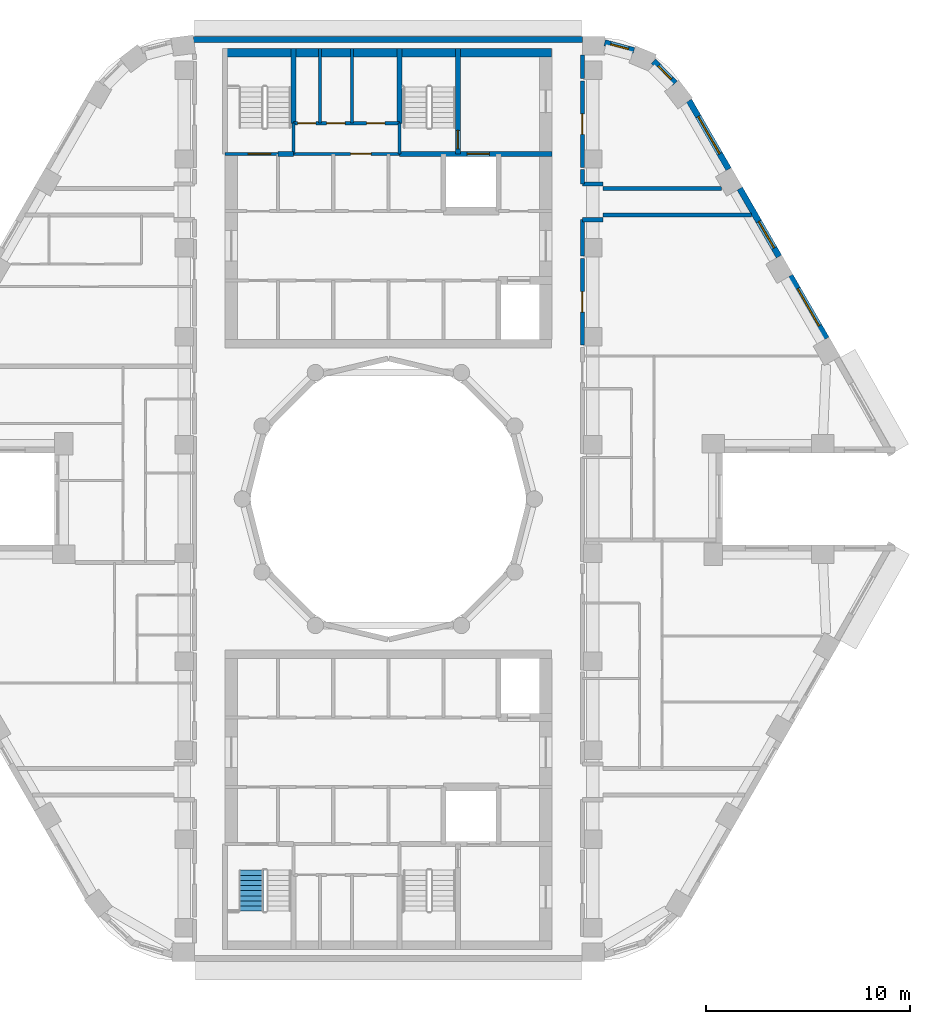
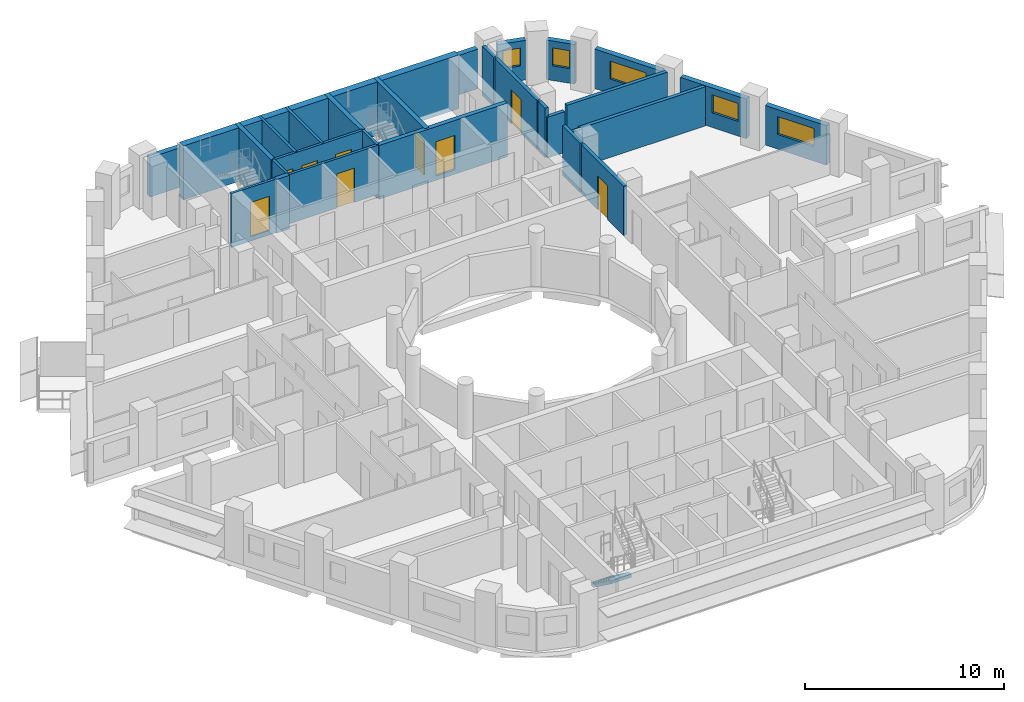
# One storey, part 8 of 13: 28 walls, 9 doors, 5 windows, 1 stair flight, 14 openings, 1 element without a shape of its own.
"""IFC4 building model written with IfcOpenShell, lengths in metres."""

from ifc_helpers import new_model, si_unit, direction, frame, frame_2d, origin, place, context, subcontext, project, spatial, polyline, rectangle, outline, extrude, material, layer, layer_set, type_object, element, fill, aggregate, save


model = new_model("IFC4")

# Units and contexts
model_context = context("Model", 3, precision=1e-05, world=origin(), true_north=direction((0.0, 1.0)))
body_context = subcontext(model_context, "Body", "Model", "MODEL_VIEW")
ifc_project = project(units=[si_unit("LENGTHUNIT", "METRE"), si_unit("AREAUNIT", "SQUARE_METRE"), si_unit("VOLUMEUNIT", "CUBIC_METRE"), si_unit("PLANEANGLEUNIT", "RADIAN"), si_unit("MASSUNIT", "GRAM", prefix="KILO")], contexts=[model_context])

# Site, building, storey
site_placement = place(None, origin())
site = spatial("IfcSite", under=ifc_project, at=site_placement, CompositionType="ELEMENT")
building_placement = place(site_placement, origin())
building = spatial("IfcBuilding", under=site, at=building_placement, Name="Nakaniwa Court", CompositionType="ELEMENT")
storey_placement = place(building_placement, frame((0.0, 0.0, 246.0)))
storey = spatial("IfcBuildingStorey", under=building, at=storey_placement, Name="L64", CompositionType="ELEMENT", Elevation=246.0)

# Wall, opening, door
ifc_material_1 = material(Name="Acoustic double stud partition")
ifc_layer_1 = layer(ifc_material_1, 0.199951171875)
ifc_layer_set_1 = layer_set([ifc_layer_1], Name="Acoustic double stud partition")
wall_type_1 = type_object("IfcWallType", Name="Acoustic double stud partition 200", PredefinedType="PARTITIONING", material=ifc_layer_set_1)
wall_1_placement = place(storey_placement, frame((89.5, 91.77294921875, 0.0), z_axis=(0.0, 0.0, 1.0), x_axis=(0.0, -1.0, 0.0)))
wall_1 = element("IfcWall", 1, at=wall_1_placement, inside=storey, type_object=wall_type_1, Name="Partition PW-068", PredefinedType="PARTITIONING", context=body_context, shape_type="SweptSolid", body=[
    extrude(rectangle(XDim=4.23583984375, YDim=0.199951171875, at=frame_2d((2.117919921875, 0.0))), origin(), (0.0, 0.0, 1.0), 3.02490234375),
])
opening_1_placement = place(wall_1_placement, frame((1.617919921875, 0.0, 0.0)))
opening_1 = element("IfcOpeningElement", 2, at=opening_1_placement, cuts=wall_1, Name="Opening D-02-02", PredefinedType="OPENING", context=body_context, shape_type="SweptSolid", body=[
    extrude(rectangle(XDim=1.0, YDim=2.10009765625, at=frame_2d((0.5, 1.050048828125))), frame((0.0, 0.10986328125, 0.0), z_axis=(0.0, -1.0, 0.0), x_axis=(1.0, 0.0, 0.0)), (0.0, 0.0, 1.0), 0.219970703125),
])
ifc_material_2 = material(Name="Solid core timber door set, black veneer", Category="wood")
door_type_1 = type_object("IfcDoorType", Name="Internal door 1000", OperationType="NOTDEFINED", PredefinedType="DOOR", material=ifc_material_2)
door_1_placement = place(opening_1_placement, origin())
door_1 = element("IfcDoor", 3, at=door_1_placement, inside=storey, type_object=door_type_1, Name="Door D-02-02 L64-044", OperationType="SINGLE_SWING_LEFT", OverallHeight=2.10009765625, OverallWidth=1.0, PredefinedType="DOOR", context=body_context, shape_type="SweptSolid", body=[
    extrude(rectangle(XDim=1.0, YDim=2.10009765625, at=frame_2d((0.5, 1.050048828125))), frame((0.0, 0.02490234375, 0.0), z_axis=(0.0, -1.0, 0.0), x_axis=(1.0, 0.0, 0.0)), (0.0, 0.0, 1.0), 0.050048828125),
])
fill(opening_1, door_1)

# Walls
wall_2_placement = place(storey_placement, frame((89.5, 91.886962890625, 0.0), z_axis=(0.0, 0.0, 1.0), x_axis=(0.0, 1.0, 0.0)))
element("IfcWall", 4, at=wall_2_placement, inside=storey, type_object=wall_type_1, Name="Partition PW-069", PredefinedType="PARTITIONING", context=body_context, shape_type="SweptSolid", body=[
    extrude(rectangle(XDim=1.791015625, YDim=0.199951171875, at=frame_2d((0.8955078125, 0.0))), origin(), (0.0, 0.0, 1.0), 3.02490234375),
])
wall_3_placement = place(storey_placement, frame((89.5, 95.422119140625, 0.0), z_axis=(0.0, 0.0, 1.0), x_axis=(0.0, 1.0, 0.0)))
element("IfcWall", 5, at=wall_3_placement, inside=storey, type_object=wall_type_1, Name="Partition PW-070", PredefinedType="PARTITIONING", context=body_context, shape_type="SweptSolid", body=[
    extrude(rectangle(XDim=0.700927734375, YDim=0.199951171875, at=frame_2d((0.3505859375, 0.0))), origin(), (0.0, 0.0, 1.0), 3.02490234375),
])

# Wall, opening, door
wall_4_placement = place(storey_placement, frame((89.5, 100.472900390625, 0.0), z_axis=(0.0, 0.0, 1.0), x_axis=(0.0, -1.0, 0.0)))
wall_4 = element("IfcWall", 6, at=wall_4_placement, inside=storey, type_object=wall_type_1, Name="Partition PW-071", PredefinedType="PARTITIONING", context=body_context, shape_type="SweptSolid", body=[
    extrude(rectangle(XDim=4.23583984375, YDim=0.199951171875, at=frame_2d((2.117919921875, 0.0))), origin(), (0.0, 0.0, 1.0), 3.02490234375),
])
opening_2_placement = place(wall_4_placement, frame((1.617919921875, 0.0, 0.0)))
opening_2 = element("IfcOpeningElement", 7, at=opening_2_placement, cuts=wall_4, Name="Opening D-02-03", PredefinedType="OPENING", context=body_context, shape_type="SweptSolid", body=[
    extrude(rectangle(XDim=1.0, YDim=2.10009765625, at=frame_2d((0.5, 1.050048828125))), frame((0.0, 0.10986328125, 0.0), z_axis=(0.0, -1.0, 0.0), x_axis=(1.0, 0.0, 0.0)), (0.0, 0.0, 1.0), 0.219970703125),
])
door_2_placement = place(opening_2_placement, origin())
door_2 = element("IfcDoor", 8, at=door_2_placement, inside=storey, type_object=door_type_1, Name="Door D-02-03 L64-059", OperationType="SINGLE_SWING_RIGHT", OverallHeight=2.10009765625, OverallWidth=1.0, PredefinedType="DOOR", context=body_context, shape_type="SweptSolid", body=[
    extrude(rectangle(XDim=1.0, YDim=2.10009765625, at=frame_2d((0.5, 1.050048828125))), frame((0.0, 0.02490234375, 0.0), z_axis=(0.0, -1.0, 0.0), x_axis=(1.0, 0.0, 0.0)), (0.0, 0.0, 1.0), 0.050048828125),
])
fill(opening_2, door_2)

# Walls
wall_5_placement = place(storey_placement, frame((89.5, 100.5869140625, 0.0), z_axis=(0.0, 0.0, 1.0), x_axis=(0.0, 1.0, 0.0)))
element("IfcWall", 9, at=wall_5_placement, inside=storey, type_object=wall_type_1, Name="Partition PW-072", PredefinedType="PARTITIONING", context=body_context, shape_type="SweptSolid", body=[
    extrude(rectangle(XDim=1.14599609375, YDim=0.199951171875, at=frame_2d((0.572998046875, 0.0))), origin(), (0.0, 0.0, 1.0), 3.02490234375),
])
wall_6_placement = place(storey_placement, frame((90.5, 93.89990234375, 0.0), z_axis=(0.0, 0.0, 1.0), x_axis=(1.0, 0.0, 0.0)))
element("IfcWall", 10, at=wall_6_placement, inside=storey, type_object=wall_type_1, Name="Partition PW-074", PredefinedType="PARTITIONING", context=body_context, shape_type="SweptSolid", body=[
    extrude(rectangle(XDim=7.282470703125, YDim=0.199951171875, at=frame_2d((3.64111328125, 0.0))), origin(), (0.0, 0.0, 1.0), 2.405029296875),
])
for number, where, z_axis, x_axis, name in (
    (11, (89.5, 93.675048828125, 0.0), (0.0, 0.0, 1.0), (1.0, 0.0, 0.0), "Partition PW-076"),
    (12, (89.5, 95.425048828125, 0.0), (0.0, 0.0, 1.0), (1.0, 0.0, 0.0), "Partition PW-078"),
):
    element("IfcWall", number, at=place(storey_placement, frame(where, z_axis=z_axis, x_axis=x_axis)), inside=storey, type_object=wall_type_1, Name=name, PredefinedType="PARTITIONING", context=body_context, shape_type="SweptSolid", body=[
        extrude(rectangle(XDim=1.0, YDim=0.199951171875, at=frame_2d((0.5, 0.0))), origin(), (0.0, 0.0, 1.0), 2.5048828125),
    ])
wall_7_placement = place(storey_placement, frame((90.5, 95.199951171875, 0.0), z_axis=(0.0, 0.0, 1.0), x_axis=(1.0, 0.0, 0.0)))
element("IfcWall", 13, at=wall_7_placement, inside=storey, type_object=wall_type_1, Name="Partition PW-080", PredefinedType="PARTITIONING", context=body_context, shape_type="SweptSolid", body=[
    extrude(rectangle(XDim=5.81884765625, YDim=0.199951171875, at=frame_2d((2.909423828125, 0.0))), origin(), (0.0, 0.0, 1.0), 3.02490234375),
])

# Wall, opening, window
ifc_material_3 = material(Name="Charcoal ceramic cladding")
ifc_layer_2 = layer(ifc_material_3, 0.02, Name="Ceramic cladding")
ifc_material_4 = material(Name="Ventilated air cavity")
ifc_layer_3 = layer(ifc_material_4, 0.04, ventilated=True, Name="Ventilated cavity")
ifc_material_5 = material(Name="Mineral wool insulation")
ifc_layer_4 = layer(ifc_material_5, 0.1, Name="Insulation")
ifc_material_6 = material(Name="Cement bonded sheathing board")
ifc_layer_5 = layer(ifc_material_6, 0.012, Name="Sheathing")
ifc_material_7 = material(Name="Cold-formed galvanised stud frame with mineral wool infill")
ifc_layer_6 = layer(ifc_material_7, 0.1, Name="Stud frame")
ifc_material_8 = material(Name="Fire-rated gypsum plasterboard lining")
ifc_layer_7 = layer(ifc_material_8, 0.028, Name="Lining")
ifc_layer_set_2 = layer_set([ifc_layer_2, ifc_layer_3, ifc_layer_4, ifc_layer_5, ifc_layer_6, ifc_layer_7], Name="Charcoal ceramic faced external wall system")
wall_type_2 = type_object("IfcWallType", Name="Black ceramic faced external wall 300", PredefinedType="SOLIDWALL", material=ifc_layer_set_2)
wall_8_placement = place(storey_placement, frame((101.44580078125, 87.85498046875, 0.0), z_axis=(0.0, 0.0, 1.0), x_axis=(-0.500010404316, 0.866019396766, 0.0)))
wall_8 = element("IfcWall", 14, at=wall_8_placement, inside=storey, type_object=wall_type_2, Name="L64 external wall 03", PredefinedType="SOLIDWALL", context=body_context, shape_type="SweptSolid", body=[
    extrude(rectangle(XDim=3.54736328125, YDim=0.300048828125, at=frame_2d((1.773681640625, 0.0))), origin(), (0.0, 0.0, 1.0), 2.425048828125),
])
opening_3_placement = place(wall_8_placement, frame((0.723388671875, 0.0, 0.89990234375)))
opening_3 = element("IfcOpeningElement", 15, at=opening_3_placement, cuts=wall_8, Name="Opening W7.04", PredefinedType="OPENING", context=body_context, shape_type="SweptSolid", body=[
    extrude(rectangle(XDim=2.10009765625, YDim=1.10009765625, at=frame_2d((1.050048828125, 0.550048828125))), frame((0.0, 0.159912109375, 0.0), z_axis=(0.0, -1.0, 0.0), x_axis=(1.0, 0.0, 0.0)), (0.0, 0.0, 1.0), 0.320068359375),
])
ifc_material_9 = material(Name="Black anodised aluminium frame with dark low-E laminated double glazing", Category="aluminium")
window_type_1 = type_object("IfcWindowType", Name="Dark glass window 2100x1100 sill 900", PartitioningType="SINGLE_PANEL", PredefinedType="WINDOW", material=ifc_material_9)
window_1_placement = place(opening_3_placement, origin())
window_1 = element("IfcWindow", 16, at=window_1_placement, inside=storey, type_object=window_type_1, Name="L64 habitable room window 03-0", OverallHeight=1.10009765625, OverallWidth=2.10009765625, PartitioningType="SINGLE_PANEL", PredefinedType="WINDOW", context=body_context, shape_type="SweptSolid", body=[
    extrude(rectangle(XDim=2.10009765625, YDim=1.10009765625, at=frame_2d((1.050048828125, 0.550048828125))), frame((0.0, 0.030029296875, 0.0), z_axis=(0.0, -1.0, 0.0), x_axis=(1.0, 0.0, 0.0)), (0.0, 0.0, 1.0), 0.06005859375),
])
fill(opening_3, window_1)

wall_9_placement = place(storey_placement, frame((99.126220703125, 91.87255859375, 0.0), z_axis=(0.0, 0.0, 1.0), x_axis=(-0.499984490703, 0.866034357896, 0.0)))
wall_9 = element("IfcWall", 17, at=wall_9_placement, inside=storey, type_object=wall_type_2, Name="L64 external wall 04", PredefinedType="SOLIDWALL", context=body_context, shape_type="SweptSolid", body=[
    extrude(rectangle(XDim=3.84423828125, YDim=0.300048828125, at=frame_2d((1.922119140625, 0.0))), origin(), (0.0, 0.0, 1.0), 2.425048828125),
])
opening_4_placement = place(wall_9_placement, frame((0.481689453125, 0.0, 0.89990234375)))
opening_4 = element("IfcOpeningElement", 18, at=opening_4_placement, cuts=wall_9, Name="Opening W5.05", PredefinedType="OPENING", context=body_context, shape_type="SweptSolid", body=[
    extrude(rectangle(XDim=1.5, YDim=1.10009765625, at=frame_2d((0.75, 0.550048828125))), frame((0.0, 0.159912109375, 0.0), z_axis=(0.0, -1.0, 0.0), x_axis=(1.0, 0.0, 0.0)), (0.0, 0.0, 1.0), 0.320068359375),
])
window_type_2 = type_object("IfcWindowType", Name="Dark glass window 1500x1100 sill 900", PartitioningType="SINGLE_PANEL", PredefinedType="WINDOW", material=ifc_material_9)
window_2_placement = place(opening_4_placement, origin())
window_2 = element("IfcWindow", 19, at=window_2_placement, inside=storey, type_object=window_type_2, Name="L64 habitable room window 04-0", OverallHeight=1.10009765625, OverallWidth=1.5, PartitioningType="SINGLE_PANEL", PredefinedType="WINDOW", context=body_context, shape_type="SweptSolid", body=[
    extrude(rectangle(XDim=1.5, YDim=1.10009765625, at=frame_2d((0.75, 0.550048828125))), frame((0.0, 0.030029296875, 0.0), z_axis=(0.0, -1.0, 0.0), x_axis=(1.0, 0.0, 0.0)), (0.0, 0.0, 1.0), 0.06005859375),
])
fill(opening_4, window_2)

wall_10_placement = place(storey_placement, frame((96.657958984375, 96.1474609375, 0.0), z_axis=(0.0, 0.0, 1.0), x_axis=(-0.500011218404, 0.866018926739, 0.0)))
wall_10 = element("IfcWall", 20, at=wall_10_placement, inside=storey, type_object=wall_type_2, Name="L64 external wall 05", PredefinedType="SOLIDWALL", context=body_context, shape_type="SweptSolid", body=[
    extrude(rectangle(XDim=3.87890625, YDim=0.300048828125, at=frame_2d((1.939453125, 0.0))), origin(), (0.0, 0.0, 1.0), 2.425048828125),
])
opening_5_placement = place(wall_10_placement, frame((0.878173828125, 0.0, 0.89990234375)))
opening_5 = element("IfcOpeningElement", 21, at=opening_5_placement, cuts=wall_10, Name="Opening W7.06", PredefinedType="OPENING", context=body_context, shape_type="SweptSolid", body=[
    extrude(rectangle(XDim=2.10009765625, YDim=1.10009765625, at=frame_2d((1.050048828125, 0.550048828125))), frame((0.0, 0.159912109375, 0.0), z_axis=(0.0, -1.0, 0.0), x_axis=(1.0, 0.0, 0.0)), (0.0, 0.0, 1.0), 0.320068359375),
])
window_3_placement = place(opening_5_placement, origin())
window_3 = element("IfcWindow", 22, at=window_3_placement, inside=storey, type_object=window_type_1, Name="L64 habitable room window 05-0", OverallHeight=1.10009765625, OverallWidth=2.10009765625, PartitioningType="SINGLE_PANEL", PredefinedType="WINDOW", context=body_context, shape_type="SweptSolid", body=[
    extrude(rectangle(XDim=2.10009765625, YDim=1.10009765625, at=frame_2d((1.050048828125, 0.550048828125))), frame((0.0, 0.030029296875, 0.0), z_axis=(0.0, -1.0, 0.0), x_axis=(1.0, 0.0, 0.0)), (0.0, 0.0, 1.0), 0.06005859375),
])
fill(opening_5, window_3)

wall_11_placement = place(storey_placement, frame((94.0341796875, 100.3583984375, 0.0), z_axis=(0.0, 0.0, 1.0), x_axis=(-0.698675602211, 0.71543860874, 0.0)))
wall_11 = element("IfcWall", 23, at=wall_11_placement, inside=storey, type_object=wall_type_2, Name="L64 external wall 06", PredefinedType="SOLIDWALL", context=body_context, shape_type="SweptSolid", body=[
    extrude(rectangle(XDim=1.5, YDim=0.300048828125, at=frame_2d((0.75, 0.0))), origin(), (0.0, 0.0, 1.0), 2.425048828125),
])
opening_6_placement = place(wall_11_placement, frame((0.27587890625, 0.0, 0.89990234375)))
opening_6 = element("IfcOpeningElement", 24, at=opening_6_placement, cuts=wall_11, Name="Opening W9.07", PredefinedType="OPENING", context=body_context, shape_type="SweptSolid", body=[
    extrude(rectangle(XDim=0.89990234375, YDim=1.10009765625, at=frame_2d((0.449951171875, 0.550048828125))), frame((0.0, 0.159912109375, 0.0), z_axis=(0.0, -1.0, 0.0), x_axis=(1.0, 0.0, 0.0)), (0.0, 0.0, 1.0), 0.320068359375),
])
window_type_3 = type_object("IfcWindowType", Name="Dark glass window 900x1100 sill 900", PartitioningType="SINGLE_PANEL", PredefinedType="WINDOW", material=ifc_material_9)
window_4_placement = place(opening_6_placement, origin())
window_4 = element("IfcWindow", 25, at=window_4_placement, inside=storey, type_object=window_type_3, Name="L64 habitable room window 06-0", OverallHeight=1.10009765625, OverallWidth=0.89990234375, PartitioningType="SINGLE_PANEL", PredefinedType="WINDOW", context=body_context, shape_type="SweptSolid", body=[
    extrude(rectangle(XDim=0.89990234375, YDim=1.10009765625, at=frame_2d((0.449951171875, 0.550048828125))), frame((0.0, 0.030029296875, 0.0), z_axis=(0.0, -1.0, 0.0), x_axis=(1.0, 0.0, 0.0)), (0.0, 0.0, 1.0), 0.06005859375),
])
fill(opening_6, window_4)

wall_12_placement = place(storey_placement, frame((92.02099609375, 101.956298828125, 0.0), z_axis=(0.0, 0.0, 1.0), x_axis=(-0.965392564919, 0.260801065181, 0.0)))
wall_12 = element("IfcWall", 26, at=wall_12_placement, inside=storey, type_object=wall_type_2, Name="L64 external wall 07", PredefinedType="SOLIDWALL", context=body_context, shape_type="SweptSolid", body=[
    extrude(rectangle(XDim=1.48095703125, YDim=0.300048828125, at=frame_2d((0.740478515625, 0.0))), origin(), (0.0, 0.0, 1.0), 2.425048828125),
])
opening_7_placement = place(wall_12_placement, frame((0.280029296875, 0.0, 0.89990234375)))
opening_7 = element("IfcOpeningElement", 27, at=opening_7_placement, cuts=wall_12, Name="Opening W9.08", PredefinedType="OPENING", context=body_context, shape_type="SweptSolid", body=[
    extrude(rectangle(XDim=0.89990234375, YDim=1.10009765625, at=frame_2d((0.449951171875, 0.550048828125))), frame((0.0, 0.159912109375, 0.0), z_axis=(0.0, -1.0, 0.0), x_axis=(1.0, 0.0, 0.0)), (0.0, 0.0, 1.0), 0.320068359375),
])
window_5_placement = place(opening_7_placement, origin())
window_5 = element("IfcWindow", 28, at=window_5_placement, inside=storey, type_object=window_type_3, Name="L64 habitable room window 07-0", OverallHeight=1.10009765625, OverallWidth=0.89990234375, PartitioningType="SINGLE_PANEL", PredefinedType="WINDOW", context=body_context, shape_type="SweptSolid", body=[
    extrude(rectangle(XDim=0.89990234375, YDim=1.10009765625, at=frame_2d((0.449951171875, 0.550048828125))), frame((0.0, 0.030029296875, 0.0), z_axis=(0.0, -1.0, 0.0), x_axis=(1.0, 0.0, 0.0)), (0.0, 0.0, 1.0), 0.06005859375),
])
fill(opening_7, window_5)

# Wall
wall_13_placement = place(storey_placement, frame((89.499267578125, 102.5, 0.0), z_axis=(0.0, 0.0, 1.0), x_axis=(-1.0, 0.0, 0.0)))
element("IfcWall", 29, at=wall_13_placement, inside=storey, type_object=wall_type_2, Name="L64 external wall 08", PredefinedType="SOLIDWALL", context=body_context, shape_type="SweptSolid", body=[
    extrude(rectangle(XDim=19.033447265625, YDim=0.300048828125, at=frame_2d((9.5166015625, 0.0))), origin(), (0.0, 0.0, 1.0), 2.425048828125),
])

# Wall, opening, door
ifc_material_10 = material(Name="Blockwork partition", Category="masonry")
ifc_layer_8 = layer(ifc_material_10, 0.14990234375)
ifc_layer_set_3 = layer_set([ifc_layer_8], Name="Blockwork partition")
wall_type_3 = type_object("IfcWallType", Name="Blockwork partition 150", PredefinedType="PARTITIONING", material=ifc_layer_set_3)
wall_14_placement = place(storey_placement, frame((75.346923828125, 96.89990234375, 0.0), z_axis=(0.0, 0.0, 1.0), x_axis=(1.0, 0.0, 0.0)))
wall_14 = element("IfcWall", 30, at=wall_14_placement, inside=storey, type_object=wall_type_3, Name="Partition PW-020", PredefinedType="PARTITIONING", context=body_context, shape_type="SweptSolid", body=[
    extrude(rectangle(XDim=5.2060546875, YDim=0.14990234375, at=frame_2d((2.60302734375, 0.0))), origin(), (0.0, 0.0, 1.0), 3.02490234375),
])
opening_8_placement = place(wall_14_placement, frame((2.802978515625, 0.0, 0.0)))
opening_8 = element("IfcOpeningElement", 31, at=opening_8_placement, cuts=wall_14, Name="Opening D-23-01", PredefinedType="OPENING", context=body_context, shape_type="SweptSolid", body=[
    extrude(rectangle(XDim=1.0, YDim=2.10009765625, at=frame_2d((0.5, 1.050048828125))), frame((0.0, 0.0849609375, 0.0), z_axis=(0.0, -1.0, 0.0), x_axis=(1.0, 0.0, 0.0)), (0.0, 0.0, 1.0), 0.169921875),
])
ifc_material_11 = material(Name="Fire rated steel door set", Category="steel")
door_type_2 = type_object("IfcDoorType", Name="Service room door 1000", OperationType="NOTDEFINED", PredefinedType="DOOR", material=ifc_material_11)
door_3_placement = place(opening_8_placement, origin())
door_3 = element("IfcDoor", 32, at=door_3_placement, inside=storey, type_object=door_type_2, Name="Door D-23-01 L64-011", OperationType="SINGLE_SWING_RIGHT", OverallHeight=2.10009765625, OverallWidth=1.0, PredefinedType="DOOR", context=body_context, shape_type="SweptSolid", body=[
    extrude(rectangle(XDim=1.0, YDim=2.10009765625, at=frame_2d((0.5, 1.050048828125))), frame((0.0, 0.02490234375, 0.0), z_axis=(0.0, -1.0, 0.0), x_axis=(1.0, 0.0, 0.0)), (0.0, 0.0, 1.0), 0.050048828125),
])
fill(opening_8, door_3)

# Wall, openings, doors
wall_15_placement = place(storey_placement, frame((75.35009765625, 98.39990234375, 0.0), z_axis=(0.0, 0.0, 1.0), x_axis=(1.0, 0.0, 0.0)))
wall_15 = element("IfcWall", 33, at=wall_15_placement, inside=storey, type_object=wall_type_3, Name="Partition PW-028", PredefinedType="PARTITIONING", context=body_context, shape_type="SweptSolid", body=[
    extrude(rectangle(XDim=5.199951171875, YDim=0.14990234375, at=frame_2d((2.60009765625, 0.0))), origin(), (0.0, 0.0, 1.0), 3.02490234375),
])
opening_9_placement = place(wall_15_placement, frame((0.199951171875, 0.0, 0.0)))
opening_9 = element("IfcOpeningElement", 34, at=opening_9_placement, cuts=wall_15, Name="Opening D-05-09", PredefinedType="OPENING", context=body_context, shape_type="SweptSolid", body=[
    extrude(rectangle(XDim=0.89990234375, YDim=2.10009765625, at=frame_2d((0.449951171875, 1.050048828125))), frame((0.0, 0.0849609375, 0.0), z_axis=(0.0, -1.0, 0.0), x_axis=(1.0, 0.0, 0.0)), (0.0, 0.0, 1.0), 0.169921875),
])
opening_10_placement = place(wall_15_placement, frame((1.6298828125, 0.0, 0.0)))
opening_10 = element("IfcOpeningElement", 35, at=opening_10_placement, cuts=wall_15, Name="Opening D-05-10", PredefinedType="OPENING", context=body_context, shape_type="SweptSolid", body=[
    extrude(rectangle(XDim=0.89990234375, YDim=2.10009765625, at=frame_2d((0.449951171875, 1.050048828125))), frame((0.0, 0.0849609375, 0.0), z_axis=(0.0, -1.0, 0.0), x_axis=(1.0, 0.0, 0.0)), (0.0, 0.0, 1.0), 0.169921875),
])
opening_11_placement = place(wall_15_placement, frame((3.580078125, 0.0, 0.0)))
opening_11 = element("IfcOpeningElement", 36, at=opening_11_placement, cuts=wall_15, Name="Opening D-05-11", PredefinedType="OPENING", context=body_context, shape_type="SweptSolid", body=[
    extrude(rectangle(XDim=0.89990234375, YDim=2.10009765625, at=frame_2d((0.449951171875, 1.050048828125))), frame((0.0, 0.0849609375, 0.0), z_axis=(0.0, -1.0, 0.0), x_axis=(1.0, 0.0, 0.0)), (0.0, 0.0, 1.0), 0.169921875),
])
door_type_3 = type_object("IfcDoorType", Name="Service room door 900", OperationType="NOTDEFINED", PredefinedType="DOOR", material=ifc_material_11)
door_4_placement = place(opening_9_placement, origin())
door_4 = element("IfcDoor", 37, at=door_4_placement, inside=storey, type_object=door_type_3, Name="Door D-05-09 L64-012", OperationType="SINGLE_SWING_LEFT", OverallHeight=2.10009765625, OverallWidth=0.89990234375, PredefinedType="DOOR", context=body_context, shape_type="SweptSolid", body=[
    extrude(rectangle(XDim=0.89990234375, YDim=2.10009765625, at=frame_2d((0.449951171875, 1.050048828125))), frame((0.0, 0.02490234375, 0.0), z_axis=(0.0, -1.0, 0.0), x_axis=(1.0, 0.0, 0.0)), (0.0, 0.0, 1.0), 0.050048828125),
])
fill(opening_9, door_4)
door_5_placement = place(opening_10_placement, origin())
door_5 = element("IfcDoor", 38, at=door_5_placement, inside=storey, type_object=door_type_3, Name="Door D-05-10 L64-013", OperationType="SINGLE_SWING_RIGHT", OverallHeight=2.10009765625, OverallWidth=0.89990234375, PredefinedType="DOOR", context=body_context, shape_type="SweptSolid", body=[
    extrude(rectangle(XDim=0.89990234375, YDim=2.10009765625, at=frame_2d((0.449951171875, 1.050048828125))), frame((0.0, 0.02490234375, 0.0), z_axis=(0.0, -1.0, 0.0), x_axis=(1.0, 0.0, 0.0)), (0.0, 0.0, 1.0), 0.050048828125),
])
fill(opening_10, door_5)
door_6_placement = place(opening_11_placement, origin())
door_6 = element("IfcDoor", 39, at=door_6_placement, inside=storey, type_object=door_type_3, Name="Door D-05-11 L64-014", OperationType="SINGLE_SWING_LEFT", OverallHeight=2.10009765625, OverallWidth=0.89990234375, PredefinedType="DOOR", context=body_context, shape_type="SweptSolid", body=[
    extrude(rectangle(XDim=0.89990234375, YDim=2.10009765625, at=frame_2d((0.449951171875, 1.050048828125))), frame((0.0, 0.02490234375, 0.0), z_axis=(0.0, -1.0, 0.0), x_axis=(1.0, 0.0, 0.0)), (0.0, 0.0, 1.0), 0.050048828125),
])
fill(opening_11, door_6)

# Walls
for number, where, z_axis, x_axis, name in (
    (40, (76.64990234375, 98.39990234375, 0.0), (0.0, 0.0, 1.0), (0.0, 1.0, 0.0), "Partition PW-029"),
    (41, (78.2099609375, 98.39990234375, 0.0), (0.0, 0.0, 1.0), (0.0, 1.0, 0.0), "Partition PW-030"),
):
    element("IfcWall", number, at=place(storey_placement, frame(where, z_axis=z_axis, x_axis=x_axis)), inside=storey, type_object=wall_type_3, Name=name, PredefinedType="PARTITIONING", context=body_context, shape_type="SweptSolid", body=[
        extrude(rectangle(XDim=3.650146484375, YDim=0.14990234375, at=frame_2d((1.8251953125, 0.0))), origin(), (0.0, 0.0, 1.0), 3.02490234375),
    ])

# Wall, opening, door
ifc_material_12 = material(Name="Concrete C80/100", Category="concrete")
ifc_layer_9 = layer(ifc_material_12, 0.14990234375)
ifc_layer_set_4 = layer_set([ifc_layer_9], Name="Concrete C80/100")
wall_type_4 = type_object("IfcWallType", Name="Concrete core wall 150 C80", PredefinedType="SHEAR", material=ifc_layer_set_4)
wall_16_placement = place(storey_placement, frame((74.60009765625, 96.89990234375, -0.27490234375), z_axis=(0.0, 0.0, 1.0), x_axis=(-1.0, 0.0, 0.0)))
wall_16 = element("IfcWall", 42, at=wall_16_placement, inside=storey, type_object=wall_type_4, Name="Core wall SW-17", PredefinedType="SHEAR", context=body_context, shape_type="SweptSolid", body=[
    extrude(rectangle(XDim=2.60009765625, YDim=0.14990234375, at=frame_2d((1.300048828125, 0.0))), origin(), (0.0, 0.0, 1.0), 3.2998046875),
])
opening_12_placement = place(wall_16_placement, frame((0.3701171875, 0.0, 0.27490234375)))
opening_12 = element("IfcOpeningElement", 43, at=opening_12_placement, cuts=wall_16, Name="Opening D-09-01", PredefinedType="OPENING", context=body_context, shape_type="SweptSolid", body=[
    extrude(rectangle(XDim=1.10009765625, YDim=2.10009765625, at=frame_2d((0.550048828125, 1.050048828125))), frame((0.0, 0.0849609375, 0.0), z_axis=(0.0, -1.0, 0.0), x_axis=(1.0, 0.0, 0.0)), (0.0, 0.0, 1.0), 0.169921875),
])
door_type_4 = type_object("IfcDoorType", Name="Stair door 1100", OperationType="NOTDEFINED", PredefinedType="DOOR", material=ifc_material_11)
door_7_placement = place(opening_12_placement, origin())
door_7 = element("IfcDoor", 44, at=door_7_placement, inside=storey, type_object=door_type_4, Name="Door D-09-01 L64-015", OperationType="SINGLE_SWING_LEFT", OverallHeight=2.10009765625, OverallWidth=1.10009765625, PredefinedType="DOOR", context=body_context, shape_type="SweptSolid", body=[
    extrude(rectangle(XDim=1.10009765625, YDim=2.10009765625, at=frame_2d((0.550048828125, 1.050048828125))), frame((0.0, 0.02490234375, 0.0), z_axis=(0.0, -1.0, 0.0), x_axis=(1.0, 0.0, 0.0)), (0.0, 0.0, 1.0), 0.050048828125),
])
fill(opening_12, door_7)

# Walls
for number, where, z_axis, x_axis, name in (
    (45, (75.35009765625, 96.89990234375, -0.27490234375), (0.0, 0.0, 1.0), (0.0, 1.0, 0.0), "Core wall SW-22"),
    (46, (80.550048828125, 96.89990234375, -0.27490234375), (0.0, 0.0, 1.0), (0.0, 1.0, 0.0), "Core wall SW-26"),
):
    element("IfcWall", number, at=place(storey_placement, frame(where, z_axis=z_axis, x_axis=x_axis)), inside=storey, type_object=wall_type_4, Name=name, PredefinedType="SHEAR", context=body_context, shape_type="SweptSolid", body=[
        extrude(rectangle(XDim=1.503173828125, YDim=0.14990234375, at=frame_2d((0.75146484375, 0.0))), origin(), (0.0, 0.0, 1.0), 3.2998046875),
    ])
ifc_layer_10 = layer(ifc_material_12, 0.39990234375)
ifc_layer_set_5 = layer_set([ifc_layer_10], Name="Concrete C80/100")
wall_type_5 = type_object("IfcWallType", Name="Concrete core wall 400 C80", PredefinedType="SHEAR", material=ifc_layer_set_5)
wall_17_placement = place(storey_placement, frame((72.00390625, 101.85009765625, -0.27490234375), z_axis=(0.0, 0.0, 1.0), x_axis=(1.0, 0.0, 0.0)))
element("IfcWall", 47, at=wall_17_placement, inside=storey, type_object=wall_type_5, Name="Core wall SW-131", PredefinedType="SHEAR", context=body_context, shape_type="SweptSolid", body=[
    extrude(rectangle(XDim=15.9921875, YDim=0.39990234375, at=frame_2d((7.99609375, 0.0))), origin(), (0.0, 0.0, 1.0), 3.2998046875),
])
ifc_layer_11 = layer(ifc_material_12, 0.25)
ifc_layer_set_6 = layer_set([ifc_layer_11], Name="Concrete C80/100")
wall_type_6 = type_object("IfcWallType", Name="Concrete shaft wall 250 C80", PredefinedType="SHEAR", material=ifc_layer_set_6)
wall_18_placement = place(storey_placement, frame((74.60009765625, 96.89990234375, -0.27490234375), z_axis=(0.0, 0.0, 1.0), x_axis=(1.0, 0.0, 0.0)))
element("IfcWall", 48, at=wall_18_placement, inside=storey, type_object=wall_type_6, Name="Core wall SW-18", PredefinedType="SHEAR", context=body_context, shape_type="SweptSolid", body=[
    extrude(rectangle(XDim=0.7529296875, YDim=0.25, at=frame_2d((0.37646484375, 0.0))), origin(), (0.0, 0.0, 1.0), 3.2998046875),
])

# Wall, opening, door
wall_19_placement = place(storey_placement, frame((80.547119140625, 96.89990234375, -0.27490234375), z_axis=(0.0, 0.0, 1.0), x_axis=(1.0, 0.0, 0.0)))
wall_19 = element("IfcWall", 49, at=wall_19_placement, inside=storey, type_object=wall_type_6, Name="Core wall SW-19", PredefinedType="SHEAR", context=body_context, shape_type="SweptSolid", body=[
    extrude(rectangle(XDim=7.452880859375, YDim=0.25, at=frame_2d((3.7265625, 0.0))), origin(), (0.0, 0.0, 1.0), 3.2998046875),
])
opening_13_placement = place(wall_19_placement, frame((3.302001953125, 0.0, 0.27490234375)))
opening_13 = element("IfcOpeningElement", 50, at=opening_13_placement, cuts=wall_19, Name="Opening LD02", PredefinedType="OPENING", context=body_context, shape_type="SweptSolid", body=[
    extrude(rectangle(XDim=1.10009765625, YDim=2.10009765625, at=frame_2d((0.550048828125, 1.050048828125))), frame((0.0, 0.135009765625, 0.0), z_axis=(0.0, -1.0, 0.0), x_axis=(1.0, 0.0, 0.0)), (0.0, 0.0, 1.0), 0.27001953125),
])
ifc_material_13 = material(Name="Stainless steel sliding lift landing door", Category="steel")
door_type_5 = type_object("IfcDoorType", Name="Lift landing door 1100", OperationType="NOTDEFINED", PredefinedType="DOOR", material=ifc_material_13)
door_8_placement = place(opening_13_placement, origin())
door_8 = element("IfcDoor", 51, at=door_8_placement, inside=storey, type_object=door_type_5, Name="Lift landing door LD02 L64-002", OperationType="SLIDING_TO_LEFT", OverallHeight=2.10009765625, OverallWidth=1.10009765625, PredefinedType="DOOR", context=body_context, shape_type="SweptSolid", body=[
    extrude(rectangle(XDim=1.10009765625, YDim=2.10009765625, at=frame_2d((0.550048828125, 1.050048828125))), frame((0.0, 0.02490234375, 0.0), z_axis=(0.0, -1.0, 0.0), x_axis=(1.0, 0.0, 0.0)), (0.0, 0.0, 1.0), 0.050048828125),
])
fill(opening_13, door_8)

# Wall
wall_20_placement = place(storey_placement, frame((75.35009765625, 98.39697265625, -0.27490234375), z_axis=(0.0, 0.0, 1.0), x_axis=(0.0, 1.0, 0.0)))
element("IfcWall", 52, at=wall_20_placement, inside=storey, type_object=wall_type_6, Name="Core wall SW-23", PredefinedType="SHEAR", context=body_context, shape_type="SweptSolid", body=[
    extrude(rectangle(XDim=3.653076171875, YDim=0.25, at=frame_2d((1.82666015625, 0.0))), origin(), (0.0, 0.0, 1.0), 3.2998046875),
])

# Wall, opening, door
wall_21_placement = place(storey_placement, frame((83.39990234375, 102.050048828125, -0.27490234375), z_axis=(0.0, 0.0, 1.0), x_axis=(0.0, -1.0, 0.0)))
wall_21 = element("IfcWall", 53, at=wall_21_placement, inside=storey, type_object=wall_type_6, Name="Core wall SW-25", PredefinedType="SHEAR", context=body_context, shape_type="SweptSolid", body=[
    extrude(rectangle(XDim=5.150146484375, YDim=0.25, at=frame_2d((2.5751953125, 0.0))), origin(), (0.0, 0.0, 1.0), 3.2998046875),
])
opening_14_placement = place(wall_21_placement, frame((4.0, 0.0, 0.27490234375)))
opening_14 = element("IfcOpeningElement", 54, at=opening_14_placement, cuts=wall_21, Name="Opening D-11-01", PredefinedType="OPENING", context=body_context, shape_type="SweptSolid", body=[
    extrude(rectangle(XDim=0.89990234375, YDim=2.10009765625, at=frame_2d((0.449951171875, 1.050048828125))), frame((0.0, 0.135009765625, 0.0), z_axis=(0.0, -1.0, 0.0), x_axis=(1.0, 0.0, 0.0)), (0.0, 0.0, 1.0), 0.27001953125),
])
door_type_6 = type_object("IfcDoorType", Name="Stair door 900", OperationType="NOTDEFINED", PredefinedType="DOOR", material=ifc_material_11)
door_9_placement = place(opening_14_placement, origin())
door_9 = element("IfcDoor", 55, at=door_9_placement, inside=storey, type_object=door_type_6, Name="Door D-11-01 L64-016", OperationType="SINGLE_SWING_RIGHT", OverallHeight=2.10009765625, OverallWidth=0.89990234375, PredefinedType="DOOR", context=body_context, shape_type="SweptSolid", body=[
    extrude(rectangle(XDim=0.89990234375, YDim=2.10009765625, at=frame_2d((0.449951171875, 1.050048828125))), frame((0.0, 0.02490234375, 0.0), z_axis=(0.0, -1.0, 0.0), x_axis=(1.0, 0.0, 0.0)), (0.0, 0.0, 1.0), 0.050048828125),
])
fill(opening_14, door_9)

# Wall
wall_22_placement = place(storey_placement, frame((80.550048828125, 98.39697265625, -0.27490234375), z_axis=(0.0, 0.0, 1.0), x_axis=(0.0, 1.0, 0.0)))
element("IfcWall", 56, at=wall_22_placement, inside=storey, type_object=wall_type_6, Name="Core wall SW-27", PredefinedType="SHEAR", context=body_context, shape_type="SweptSolid", body=[
    extrude(rectangle(XDim=3.653076171875, YDim=0.25, at=frame_2d((1.82666015625, 0.0))), origin(), (0.0, 0.0, 1.0), 3.2998046875),
])

# Stair, stair flight
stair_type = type_object("IfcStairType", Name="Dog leg stair 1200 wide 18 risers", PredefinedType="HALF_TURN_STAIR", material=ifc_material_12)
stair_placement = place(storey_placement, origin())
stair = element("IfcStair", 57, at=stair_placement, inside=storey, type_object=stair_type, Name="L64 Stair ST3", PredefinedType="HALF_TURN_STAIR")
stair_flight_type = type_object("IfcStairFlightType", Name="Stair flight 1200 wide 9 risers", PredefinedType="STRAIGHT", material=ifc_material_12)
stair_flight_placement = place(storey_placement, frame((73.27490234375, 61.824951171875, 0.0), z_axis=(0.0, 0.0, 1.0), x_axis=(0.0, -1.0, 0.0)))
stair_flight = element("IfcStairFlight", 58, at=stair_flight_placement, type_object=stair_flight_type, Name="ST3 flight 1", NumberOfRisers=9, NumberOfTreads=8, PredefinedType="STRAIGHT", RiserHeight=0.183333333, TreadLength=0.25, context=body_context, shape_type="SweptSolid", body=[
    extrude(outline(polyline([(0.0, 0.0), (0.0, 0.026123046875), (0.0, 0.052490234375), (0.0, 0.07861328125), (0.0, 0.104736328125), (0.0, 0.130859375), (0.0, 0.1572265625), (0.0, 0.183349609375), (0.25, 0.183349609375), (0.25, 0.36669921875), (0.5, 0.36669921875), (0.5, 0.550048828125), (0.75, 0.550048828125), (0.75, 0.7333984375), (1.0, 0.7333984375), (1.0, 0.916748046875), (1.25, 0.916748046875), (1.25, 1.10009765625), (1.5, 1.10009765625), (1.5, 1.283447265625), (1.75, 1.283447265625), (1.75, 1.466552734375), (2.0, 1.466552734375), (2.0, 1.64990234375), (2.0, 1.59716796875), (2.0, 1.54443359375), (2.0, 1.49169921875), (2.0, 1.43896484375), (2.0, 1.38623046875), (2.0, 1.33349609375), (2.0, 1.28076171875), (0.25341796875, 0.0), (0.0, 0.0)])), frame((0.0, 0.60009765625, 0.0), z_axis=(0.0, -1.0, 0.0), x_axis=(1.0, 0.0, 0.0)), (0.0, 0.0, 1.0), 1.199951171875),
])
aggregate(stair, [stair_flight])

save(model, "model.ifc")
